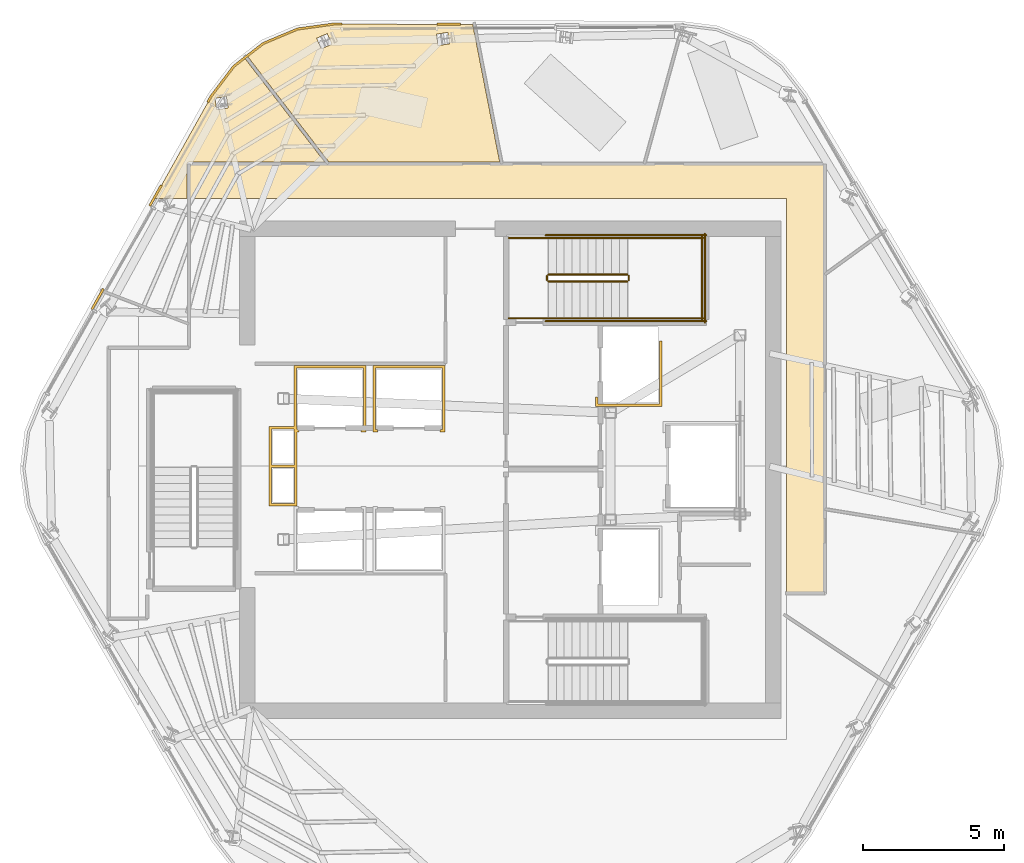
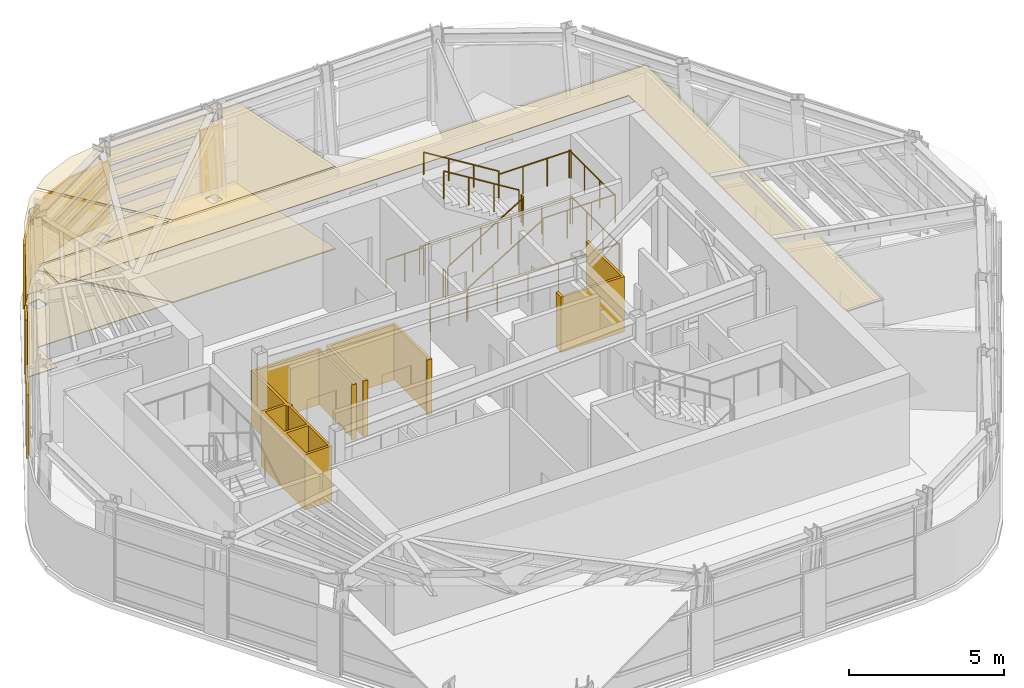
# One storey, part 11 of 13: 14 railings, 12 coverings.
"""IFC4 building model written with IfcOpenShell, lengths in metres."""

import ifcopenshell
import ifcopenshell.guid

model = None  # the IFC model being written
_history = None  # IfcOwnerHistory: only IFC2X3 demands one
_inside = {}  # id of a spatial element -> (the spatial element, [elements in it])
_under = {}  # id of a project, library or spatial element -> (it, [spatial elements below it])
_declared = {}  # id of a project -> (the project, [libraries it declares])
_typed = {}  # id of a type object -> (the type object, [elements of that type])
_made_of = {}  # id of a material, layer set ... -> (it, [elements and type objects made of it])


def new_model(schema):
    """Start an empty IFC model of exactly this schema.

    Asked for "IFC4X3", IfcOpenShell would pick the latest addendum, in which some entities
    have other attributes; the version numbers below select the first issue.
    IFC2X3 requires an IfcOwnerHistory on every rooted entity: one is made here for all.
    """
    global model, _history
    if schema == "IFC4X3":
        model = ifcopenshell.file(schema_version=(4, 3, 0, 0))
    else:
        model = ifcopenshell.file(schema=schema)
    _inside.clear()
    _under.clear()
    _declared.clear()
    _typed.clear()
    _made_of.clear()
    _history = None
    if model.schema == "IFC2X3":
        org = make("IfcOrganization", Name="unknown")
        user = make(
            "IfcPersonAndOrganization",
            ThePerson=make("IfcPerson", FamilyName="unknown"),
            TheOrganization=org,
        )
        app = make(
            "IfcApplication",
            ApplicationDeveloper=org,
            Version="unknown",
            ApplicationFullName="unknown",
            ApplicationIdentifier="unknown",
        )
        _history = make(
            "IfcOwnerHistory",
            OwningUser=user,
            OwningApplication=app,
            ChangeAction="ADDED",
            CreationDate=0,
        )
    return model


def make(cls, **values):
    """One entity of the class cls with the attributes given. An attribute that is None is left unset."""
    return model.create_entity(
        cls, **{name: value for name, value in values.items() if value is not None}
    )


def rooted(cls, **values):
    """An entity with a GlobalId (a new one), such as an element, a storey or a relation."""
    return make(cls, GlobalId=ifcopenshell.guid.new(), OwnerHistory=_history, **values)


def si_unit(unit_type, name, prefix=None):
    """IfcSIUnit, for example si_unit("LENGTHUNIT", "METRE", prefix="MILLI")."""
    return make("IfcSIUnit", UnitType=unit_type, Prefix=prefix, Name=name)


def assignment(units):
    """IfcUnitAssignment: the units of a project."""
    return None if units is None else make("IfcUnitAssignment", Units=units)


def point(xyz):
    """IfcCartesianPoint."""
    return None if xyz is None else make("IfcCartesianPoint", Coordinates=xyz)


def direction(xyz):
    """IfcDirection."""
    return None if xyz is None else make("IfcDirection", DirectionRatios=xyz)


def frame(location, z_axis=None, x_axis=None):
    """IfcAxis2Placement3D, a coordinate frame: its origin and axes. An axis left out is left unset."""
    return make(
        "IfcAxis2Placement3D",
        Location=point(location),
        Axis=direction(z_axis),
        RefDirection=direction(x_axis),
    )


def frame_2d(location, x_axis=None):
    """IfcAxis2Placement2D, a coordinate frame in the plane: its origin and x axis."""
    return make(
        "IfcAxis2Placement2D", Location=point(location), RefDirection=direction(x_axis)
    )


def origin():
    """The frame at (0, 0, 0) with its axes left unset."""
    return frame((0.0, 0.0, 0.0))


def origin_2d():
    """The frame at (0, 0) in the plane with its x axis left unset."""
    return frame_2d((0.0, 0.0))


def place(relative_to, where):
    """IfcLocalPlacement: puts the frame where relative to a parent placement (None: the world)."""
    return make(
        "IfcLocalPlacement", PlacementRelTo=relative_to, RelativePlacement=where
    )


def context(
    kind, dimensions, precision=None, world=None, true_north=None, identifier=None
):
    """IfcGeometricRepresentationContext, for example the 3D "Model" context."""
    return make(
        "IfcGeometricRepresentationContext",
        ContextIdentifier=identifier,
        ContextType=kind,
        CoordinateSpaceDimension=dimensions,
        Precision=precision,
        WorldCoordinateSystem=world,
        TrueNorth=true_north,
    )


def subcontext(parent, identifier, kind, view, scale=None):
    """IfcGeometricRepresentationSubContext, for example "Body" below "Model"."""
    return make(
        "IfcGeometricRepresentationSubContext",
        ContextIdentifier=identifier,
        ContextType=kind,
        ParentContext=parent,
        TargetScale=scale,
        TargetView=view,
    )


def project(units=None, contexts=None):
    """IfcProject with its units and contexts."""
    return rooted(
        "IfcProject",
        Name="project",
        RepresentationContexts=contexts,
        UnitsInContext=assignment(units),
    )


def spatial(cls, under=None, at=None, **own):
    """A site, building, storey or space (cls), placed at a placement, below another one or the project."""
    s = rooted(cls, ObjectPlacement=at, **own)
    if under is not None:
        _under.setdefault(under.id(), (under, []))[1].append(s)
    return s


def polyline(points):
    """IfcPolyline through the points."""
    return make("IfcPolyline", Points=[point(p) for p in points])


def profile(cls, at=None, kind="AREA", **sizes):
    """A parametric profile (cls). Its sizes go by their IFC names, for example OverallWidth=200.0."""
    return make(cls, ProfileType=kind, Position=at, **sizes)


def circle(**sizes):
    """IfcCircleProfileDef."""
    return profile("IfcCircleProfileDef", **sizes)


def outline(outer, holes=None, kind="AREA"):
    """IfcArbitraryClosedProfileDef: a profile drawn as a closed curve; with holes, ...WithVoids."""
    if holes is None:
        return make("IfcArbitraryClosedProfileDef", ProfileType=kind, OuterCurve=outer)
    return make(
        "IfcArbitraryProfileDefWithVoids",
        ProfileType=kind,
        OuterCurve=outer,
        InnerCurves=holes,
    )


def extrude(swept, where, along, depth):
    """IfcExtrudedAreaSolid: the profile swept, set in the frame where, extruded along a direction by depth."""
    return make(
        "IfcExtrudedAreaSolid",
        SweptArea=swept,
        Position=where,
        ExtrudedDirection=direction(along),
        Depth=depth,
    )


def shape(context_of_items, identifier, shape_type, items):
    """IfcShapeRepresentation: the items that make up one representation, for example the "Body"."""
    return make(
        "IfcShapeRepresentation",
        ContextOfItems=context_of_items,
        RepresentationIdentifier=identifier,
        RepresentationType=shape_type,
        Items=items,
    )


def material(Name=None, Category=None):
    """IfcMaterial."""
    return make("IfcMaterial", Name=Name, Category=Category)


def layer(
    of_material, thickness, ventilated=None, Name=None, Category=None, Priority=None
):
    """IfcMaterialLayer: one layer of a wall or slab, of a material (None: an air gap)."""
    return make(
        "IfcMaterialLayer",
        Material=of_material,
        LayerThickness=thickness,
        IsVentilated=ventilated,
        Name=Name,
        Category=Category,
        Priority=Priority,
    )


def layer_set(layers, Name=None):
    """IfcMaterialLayerSet."""
    return make("IfcMaterialLayerSet", MaterialLayers=layers, LayerSetName=Name)


def made_of(thing, what):
    """Note that an element or type object is made of a material, layer set ...; save() writes the relation."""
    if what is not None:
        _made_of.setdefault(what.id(), (what, []))[1].append(thing)
    return thing


def type_object(cls, material=None, **own):
    """A type object (cls), such as IfcWallType, which elements share."""
    return made_of(rooted(cls, **own), material)


def element(
    cls,
    number,
    at=None,
    inside=None,
    cuts=None,
    type_object=None,
    material=None,
    context=None,
    identifier="Body",
    shape_type=None,
    held_by="IfcProductDefinitionShape",
    body=None,
    shapes=None,
    **own,
):
    """One element of the class cls, such as IfcWall. Its Tag is "e" and its number.

    at: its placement. inside: the storey or other place that contains it. cuts: it is an
    opening in that element (IfcRelVoidsElement). A single representation is given by context,
    identifier, shape_type and body (its items); several are given by shapes. held_by: the class
    of the entity that holds the representations. save() writes the other relations.
    """
    e = rooted(cls, Tag="e%d" % number, ObjectPlacement=at, **own)
    if body is not None:
        shapes = [shape(context, identifier, shape_type, body)]
    if shapes is not None:
        e.Representation = make(held_by, Representations=shapes)
    if inside is not None:
        _inside.setdefault(inside.id(), (inside, []))[1].append(e)
    if cuts is not None:
        rooted(
            "IfcRelVoidsElement", RelatingBuildingElement=cuts, RelatedOpeningElement=e
        )
    if type_object is not None:
        _typed.setdefault(type_object.id(), (type_object, []))[1].append(e)
    return made_of(e, material)


def aggregate(whole, parts):
    """IfcRelAggregates: a whole, such as a stair, and the parts it consists of."""
    return rooted("IfcRelAggregates", RelatingObject=whole, RelatedObjects=parts)


def save(model, path):
    """Write the relations noted so far, then the file.

    IfcRelAggregates (storeys below a building ...), IfcRelContainedInSpatialStructure (elements
    in a storey), IfcRelDefinesByType, IfcRelAssociatesMaterial and IfcRelDeclares: one each for
    every whole, place, type object, material and project.
    """
    for whole, parts in _under.values():
        aggregate(whole, parts)
    for where, things in _inside.values():
        rooted(
            "IfcRelContainedInSpatialStructure",
            RelatedElements=things,
            RelatingStructure=where,
        )
    for kind, things in _typed.values():
        rooted("IfcRelDefinesByType", RelatedObjects=things, RelatingType=kind)
    for what, things in _made_of.values():
        rooted("IfcRelAssociatesMaterial", RelatedObjects=things, RelatingMaterial=what)
    for by, libraries in _declared.values():
        rooted("IfcRelDeclares", RelatingContext=by, RelatedDefinitions=libraries)
    model.write(path)


model = new_model("IFC4")

# Units and contexts
model_context = context("Model", 3, precision=1e-05, world=origin(), true_north=direction((0.0, 1.0)))
body_context = subcontext(model_context, "Body", "Model", "MODEL_VIEW")
ifc_project = project(units=[si_unit("LENGTHUNIT", "METRE"), si_unit("AREAUNIT", "SQUARE_METRE"), si_unit("VOLUMEUNIT", "CUBIC_METRE"), si_unit("PLANEANGLEUNIT", "RADIAN"), si_unit("MASSUNIT", "GRAM", prefix="KILO")], contexts=[model_context])

# Site, building, storey
site_placement = place(None, origin())
site = spatial("IfcSite", under=ifc_project, at=site_placement, CompositionType="ELEMENT")
building_placement = place(site_placement, origin())
building = spatial("IfcBuilding", under=site, at=building_placement, Name="Valkerne Bourse Tower", CompositionType="ELEMENT")
storey_placement = place(building_placement, frame((0.0, 0.0, 285.0)))
storey = spatial("IfcBuildingStorey", under=building, at=storey_placement, Name="L72", CompositionType="ELEMENT", Elevation=285.0)

# Coverings
ifc_material_1 = material(Name="Mineral Fiber Acoustic Ceiling Tile", Category="acoustic")
ifc_layer_1 = layer(ifc_material_1, 0.02490234375)
ifc_layer_set_1 = layer_set([ifc_layer_1], Name="Mineral Fiber Acoustic Ceiling Tile")
covering_type_1 = type_object("IfcCoveringType", Name="COV-CEIL-ACT", PredefinedType="CEILING", material=ifc_layer_set_1)
covering_1_placement = place(storey_placement, frame((0.0, 0.0, 3.25)))
element("IfcCovering", 1, at=covering_1_placement, inside=storey, type_object=covering_type_1, Name="L72 Suspended Ceiling 03", PredefinedType="CEILING", context=body_context, shape_type="SweptSolid", body=[
    extrude(outline(polyline([(37.37451171875, 41.47998046875), (40.216796875, 37.7890625), (35.399658203125, 37.7890625), (35.37109375, 37.78271484375), (35.34814453125, 37.765869140625), (35.3310546875, 37.720703125), (35.3310546875, 36.5), (34.162353515625, 36.5), (36.19189453125, 40.127685546875), (36.9951171875, 41.185791015625), (37.37451171875, 41.47998046875)]), holes=[polyline([(36.78466796875, 39.708984375), (36.78662109375, 39.710693359375), (36.726318359375, 40.112548828125), (36.322021484375, 40.052734375), (36.3203125, 40.05126953125), (36.380615234375, 39.649169921875), (36.78466796875, 39.708984375)])]), origin(), (0.0, 0.0, 1.0), 0.02490234375),
])
covering_2_placement = place(storey_placement, frame((0.0, 0.0, 3.25)))
element("IfcCovering", 2, at=covering_2_placement, inside=storey, type_object=covering_type_1, Name="L72 Suspended Ceiling 07", PredefinedType="CEILING", context=body_context, shape_type="SweptSolid", body=[
    extrude(outline(polyline([(40.570556640625, 42.686279296875), (45.465087890625, 42.67138671875), (46.423095703125, 37.7890625), (40.36572265625, 37.7890625), (37.4677734375, 41.55224609375), (38.037841796875, 41.99462890625), (39.25439453125, 42.505859375), (40.570556640625, 42.686279296875)]), holes=[polyline([(40.095458984375, 41.80908203125), (40.46728515625, 41.9716796875), (40.30322265625, 42.3466796875), (40.301025390625, 42.345703125), (39.92919921875, 42.18310546875), (40.09326171875, 41.80810546875), (40.095458984375, 41.80908203125)]), polyline([(44.642822265625, 41.98583984375), (44.579345703125, 42.39013671875), (44.5771484375, 42.389892578125), (44.176025390625, 42.326904296875), (44.23974609375, 41.922607421875), (44.241943359375, 41.9228515625), (44.642822265625, 41.98583984375)])]), origin(), (0.0, 0.0, 1.0), 0.02490234375),
])
ifc_material_2 = material(Name="Bronze Anodised Aluminium AA 6063-T6", Category="aluminium")
ifc_layer_2 = layer(ifc_material_2, 0.030029296875)
ifc_layer_set_2 = layer_set([ifc_layer_2], Name="Bronze Anodised Aluminium AA 6063-T6")
covering_type_2 = type_object("IfcCoveringType", Name="COV-CEIL-METAL", PredefinedType="CEILING", material=ifc_layer_set_2)
covering_3_placement = place(storey_placement, frame((0.0, 0.0, 3.25)))
element("IfcCovering", 3, at=covering_3_placement, inside=storey, type_object=covering_type_2, Name="L72 Suspended Ceiling 01", PredefinedType="CEILING", context=body_context, shape_type="SweptSolid", body=[
    extrude(outline(polyline([(35.404052734375, 37.716064453125), (57.946044921875, 37.716064453125), (57.946044921875, 22.50390625), (56.60009765625, 22.50390625), (56.60009765625, 36.5), (35.404052734375, 36.5), (35.404052734375, 37.716064453125)])), origin(), (0.0, 0.0, 1.0), 0.02490234375),
])
ifc_layer_3 = layer(ifc_material_2, 0.06005859375)
ifc_layer_set_3 = layer_set([ifc_layer_3], Name="Bronze Anodised Aluminium AA 6063-T6")
covering_type_3 = type_object("IfcCoveringType", Name="COV-CRN-ALUM", PredefinedType="CLADDING", material=ifc_layer_set_3)
covering_4_placement = place(storey_placement, origin())
element("IfcCovering", 4, at=covering_4_placement, inside=storey, type_object=covering_type_3, Name="L72 Wind-Shaped Corner Aluminium Cladding 11", PredefinedType="CLADDING", context=body_context, shape_type="SweptSolid", body=[
    extrude(outline(polyline([(32.328857421875, 33.313232421875), (32.398193359375, 33.273681640625), (31.98828125, 32.54052734375), (31.918701171875, 32.580078125), (32.328857421875, 33.313232421875)])), origin(), (0.0, 0.0, 1.0), 2.5),
])
covering_5_placement = place(storey_placement, origin())
element("IfcCovering", 5, at=covering_5_placement, inside=storey, type_object=covering_type_3, Name="L72 Wind-Shaped Corner Aluminium Cladding 12", PredefinedType="CLADDING", context=body_context, shape_type="SweptSolid", body=[
    extrude(outline(polyline([(34.385498046875, 36.989013671875), (34.455078125, 36.949462890625), (34.044921875, 36.21630859375), (33.975341796875, 36.256103515625), (34.385498046875, 36.989013671875)])), origin(), (0.0, 0.0, 1.0), 2.5),
])
covering_6_placement = place(storey_placement, origin())
element("IfcCovering", 6, at=covering_6_placement, inside=storey, type_object=covering_type_3, Name="L72 Wind-Shaped Corner Aluminium Cladding 13", PredefinedType="CLADDING", context=body_context, shape_type="SweptSolid", body=[
    extrude(outline(polyline([(36.155029296875, 40.15185546875), (36.963623046875, 41.217041015625), (38.015380859375, 42.032958984375), (39.24267578125, 42.548583984375), (40.567626953125, 42.730224609375), (40.819580078125, 42.7294921875), (40.820068359375, 42.6494140625), (40.572998046875, 42.650390625), (39.263916015625, 42.470947265625), (38.05615234375, 41.963134765625), (37.02099609375, 41.160400390625), (36.22216796875, 40.10791015625), (36.1015625, 39.892333984375), (36.031982421875, 39.931884765625), (36.155029296875, 40.15185546875)])), origin(), (0.0, 0.0, 1.0), 2.5),
])
covering_7_placement = place(storey_placement, origin())
element("IfcCovering", 7, at=covering_7_placement, inside=storey, type_object=covering_type_3, Name="L72 Wind-Shaped Corner Aluminium Cladding 14", PredefinedType="CLADDING", context=body_context, shape_type="SweptSolid", body=[
    extrude(outline(polyline([(45.031494140625, 42.716796875), (45.031982421875, 42.63671875), (44.19189453125, 42.639404296875), (44.191650390625, 42.719482421875), (45.031494140625, 42.716796875)])), origin(), (0.0, 0.0, 1.0), 2.5),
])
ifc_material_3 = material(Name="Galvanised Painted Steel", Category="steel")
ifc_layer_4 = layer(ifc_material_3, 0.044921875)
ifc_layer_set_4 = layer_set([ifc_layer_4], Name="Galvanised Painted Steel")
covering_type_4 = type_object("IfcCoveringType", Name="COV-FLR-RAF", PredefinedType="FLOORING", material=ifc_layer_set_4)
covering_8_placement = place(storey_placement, origin())
element("IfcCovering", 8, at=covering_8_placement, inside=storey, type_object=covering_type_4, Name="L72 Floor Finish 07", PredefinedType="FLOORING", context=body_context, shape_type="SweptSolid", body=[
    extrude(outline(polyline([(40.570556640625, 42.686279296875), (45.465087890625, 42.67138671875), (46.423095703125, 37.7890625), (40.36572265625, 37.7890625), (37.4677734375, 41.55224609375), (38.037841796875, 41.99462890625), (39.25439453125, 42.505859375), (40.570556640625, 42.686279296875)]), holes=[polyline([(40.095458984375, 41.80908203125), (40.46728515625, 41.9716796875), (40.30322265625, 42.3466796875), (40.301025390625, 42.345703125), (39.92919921875, 42.18310546875), (40.09326171875, 41.80810546875), (40.095458984375, 41.80908203125)]), polyline([(44.642822265625, 41.98583984375), (44.579345703125, 42.39013671875), (44.5771484375, 42.389892578125), (44.176025390625, 42.326904296875), (44.23974609375, 41.922607421875), (44.241943359375, 41.9228515625), (44.642822265625, 41.98583984375)])]), origin(), (0.0, 0.0, 1.0), 0.044921875),
])
ifc_material_4 = material(Name="Polished Granite Stone", Category="masonry")
ifc_layer_5 = layer(ifc_material_4, 0.030029296875)
ifc_layer_set_5 = layer_set([ifc_layer_5], Name="Polished Granite Stone")
covering_type_5 = type_object("IfcCoveringType", Name="COV-FLR-TERRAZZO", PredefinedType="FLOORING", material=ifc_layer_set_5)
covering_9_placement = place(storey_placement, origin())
element("IfcCovering", 9, at=covering_9_placement, inside=storey, type_object=covering_type_5, Name="L72 Floor Finish 03", PredefinedType="FLOORING", context=body_context, shape_type="SweptSolid", body=[
    extrude(outline(polyline([(37.37451171875, 41.47998046875), (40.216796875, 37.7890625), (35.399658203125, 37.7890625), (35.37109375, 37.78271484375), (35.34814453125, 37.765869140625), (35.3310546875, 37.720703125), (35.3310546875, 36.5), (34.162353515625, 36.5), (36.19189453125, 40.127685546875), (36.9951171875, 41.185791015625), (37.37451171875, 41.47998046875)]), holes=[polyline([(36.78466796875, 39.708984375), (36.78662109375, 39.710693359375), (36.726318359375, 40.112548828125), (36.322021484375, 40.052734375), (36.3203125, 40.05126953125), (36.380615234375, 39.649169921875), (36.78466796875, 39.708984375)])]), origin(), (0.0, 0.0, 1.0), 0.030029296875),
])
ifc_material_5 = material(Name="Gypsum Shaftwall Liner Board", Category="gypsum")
ifc_layer_6 = layer(ifc_material_5, 0.080078125)
ifc_layer_set_6 = layer_set([ifc_layer_6], Name="Gypsum Shaftwall Liner Board")
covering_type_6 = type_object("IfcCoveringType", Name="COV-SHF-CLAD", PredefinedType="CLADDING", material=ifc_layer_set_6)
covering_10_placement = place(storey_placement, origin())
element("IfcCovering", 10, at=covering_10_placement, inside=storey, type_object=covering_type_6, Name="L72 Hoistway & Riser Shaftwall Liner 04", PredefinedType="CLADDING", context=body_context, shape_type="SweptSolid", body=[
    extrude(outline(polyline([(38.239990234375, 27.0400390625), (38.239990234375, 28.409912109375), (39.1201171875, 28.409912109375), (39.1201171875, 30.580078125), (41.679931640625, 30.580078125), (41.679931640625, 28.219970703125), (41.500732421875, 28.219970703125), (41.511474609375, 28.26220703125), (41.517822265625, 28.305908203125), (41.51806640625, 28.31005859375), (41.590087890625, 28.31005859375), (41.590087890625, 30.489990234375), (39.2099609375, 30.489990234375), (39.2099609375, 28.409912109375), (39.239990234375, 28.409912109375), (39.239990234375, 28.31005859375), (39.281982421875, 28.31005859375), (39.2822265625, 28.305908203125), (39.28857421875, 28.26220703125), (39.29931640625, 28.219970703125), (39.239990234375, 28.219970703125), (39.239990234375, 27.0400390625), (39.239990234375, 26.9599609375), (39.239990234375, 25.590087890625), (38.239990234375, 25.590087890625), (38.239990234375, 26.9599609375), (38.239990234375, 27.0400390625)]), holes=[polyline([(39.14990234375, 26.949951171875), (38.330078125, 26.949951171875), (38.330078125, 25.679931640625), (39.14990234375, 25.679931640625), (39.14990234375, 26.949951171875)]), polyline([(39.14990234375, 28.219970703125), (39.1201171875, 28.219970703125), (39.1201171875, 28.320068359375), (38.330078125, 28.320068359375), (38.330078125, 27.050048828125), (39.14990234375, 27.050048828125), (39.14990234375, 28.219970703125)])]), origin(), (0.0, 0.0, 1.0), 2.179931640625),
])
covering_11_placement = place(storey_placement, origin())
element("IfcCovering", 11, at=covering_11_placement, inside=storey, type_object=covering_type_6, Name="L72 Hoistway & Riser Shaftwall Liner 06", PredefinedType="CLADDING", context=body_context, shape_type="SweptSolid", body=[
    extrude(outline(polyline([(44.47998046875, 28.219970703125), (44.30078125, 28.219970703125), (44.311279296875, 28.26220703125), (44.31787109375, 28.305908203125), (44.318115234375, 28.31005859375), (44.389892578125, 28.31005859375), (44.389892578125, 30.489990234375), (42.010009765625, 30.489990234375), (42.010009765625, 28.31005859375), (42.08203125, 28.31005859375), (42.082275390625, 28.305908203125), (42.088623046875, 28.26220703125), (42.09912109375, 28.219970703125), (41.919921875, 28.219970703125), (41.919921875, 30.580078125), (44.47998046875, 30.580078125), (44.47998046875, 28.219970703125)])), origin(), (0.0, 0.0, 1.0), 2.179931640625),
])
covering_12_placement = place(storey_placement, origin())
element("IfcCovering", 12, at=covering_12_placement, inside=storey, type_object=covering_type_6, Name="L72 Hoistway & Riser Shaftwall Liner 07", PredefinedType="CLADDING", context=body_context, shape_type="SweptSolid", body=[
    extrude(outline(polyline([(49.820068359375, 29.1201171875), (49.820068359375, 29.468017578125), (49.827880859375, 29.46435546875), (49.869384765625, 29.449462890625), (49.909912109375, 29.439208984375), (49.909912109375, 29.2099609375), (52.090087890625, 29.2099609375), (52.090087890625, 31.449951171875), (52.179931640625, 31.449951171875), (52.179931640625, 29.1201171875), (49.820068359375, 29.1201171875)])), origin(), (0.0, 0.0, 1.0), 2.179931640625),
])

# Railings
railing_type_1 = type_object("IfcRailingType", Name="RLG-ST-GUARD-1120", PredefinedType="GUARDRAIL", material=ifc_material_3)
railing_1_placement = place(storey_placement, frame((48.14990234375, 33.550048828125, 0.172607421875)))
element("IfcRailing", 13, at=railing_1_placement, inside=storey, type_object=railing_type_1, Name="L72 ST-2 stair guard 1", PredefinedType="GUARDRAIL", context=body_context, shape_type="SweptSolid", body=[
    extrude(circle(Radius=0.02392578125, at=origin_2d()), frame((0.0, 0.0, 1.09619140625), z_axis=(0.851089632645, 0.0, 0.525020415988), x_axis=(0.0, 1.0, 0.0)), (0.0, 0.0, 1.0), 3.2900390625),
    extrude(circle(Radius=0.02099609375, at=origin_2d()), origin(), (0.0, 0.0, 1.0), 1.072021484375),
    extrude(circle(Radius=0.02099609375, at=origin_2d()), frame((0.933349609375, 0.0, 0.57568359375)), (0.0, 0.0, 1.0), 1.072021484375),
    extrude(circle(Radius=0.02099609375, at=origin_2d()), frame((1.86669921875, 0.0, 1.151611328125)), (0.0, 0.0, 1.0), 1.072021484375),
    extrude(circle(Radius=0.02099609375, at=origin_2d()), frame((2.800048828125, 0.0, 1.727294921875)), (0.0, 0.0, 1.0), 1.072021484375),
])
railing_2_placement = place(storey_placement, frame((51.0, 33.60009765625, 1.89990234375)))
element("IfcRailing", 14, at=railing_2_placement, inside=storey, type_object=railing_type_1, Name="L72 ST-2 stair guard 2", PredefinedType="GUARDRAIL", context=body_context, shape_type="SweptSolid", body=[
    extrude(circle(Radius=0.02392578125, at=origin_2d()), frame((0.0, 0.0, 1.09619140625), z_axis=(0.0, 1.0, 0.0), x_axis=(-1.0, 0.0, 0.0)), (0.0, 0.0, 1.0), 0.14990234375),
    extrude(circle(Radius=0.02099609375, at=origin_2d()), origin(), (0.0, 0.0, 1.0), 1.072021484375),
    extrude(circle(Radius=0.02099609375, at=origin_2d()), frame((0.0, 0.14990234375, 0.0)), (0.0, 0.0, 1.0), 1.072021484375),
])
for number, where, name in (
    (15, (50.949951171875, 32.25, 1.89990234375), "L72 ST-2 stair guard 3"),
    (16, (50.949951171875, 35.10009765625, 1.89990234375), "L72 ST-2 stair guard 4"),
):
    element("IfcRailing", number, at=place(storey_placement, frame(where)), inside=storey, type_object=railing_type_1, Name=name, PredefinedType="GUARDRAIL", context=body_context, shape_type="SweptSolid", body=[
        extrude(circle(Radius=0.02392578125, at=origin_2d()), frame((0.0, 0.0, 1.09619140625), z_axis=(1.0, 0.0, 0.0), x_axis=(0.0, 1.0, 0.0)), (0.0, 0.0, 1.0), 2.699951171875),
        extrude(circle(Radius=0.02099609375, at=origin_2d()), origin(), (0.0, 0.0, 1.0), 1.072021484375),
        extrude(circle(Radius=0.02099609375, at=origin_2d()), frame((0.89990234375, 0.0, 0.0)), (0.0, 0.0, 1.0), 1.072021484375),
        extrude(circle(Radius=0.02099609375, at=origin_2d()), frame((1.800048828125, 0.0, 0.0)), (0.0, 0.0, 1.0), 1.072021484375),
        extrude(circle(Radius=0.02099609375, at=origin_2d()), frame((2.699951171875, 0.0, 0.0)), (0.0, 0.0, 1.0), 1.072021484375),
    ])
railing_3_placement = place(storey_placement, frame((53.60009765625, 32.199951171875, 1.89990234375)))
element("IfcRailing", 17, at=railing_3_placement, inside=storey, type_object=railing_type_1, Name="L72 ST-2 stair guard 5", PredefinedType="GUARDRAIL", context=body_context, shape_type="SweptSolid", body=[
    extrude(circle(Radius=0.02392578125, at=origin_2d()), frame((0.0, 0.0, 1.09619140625), z_axis=(0.0, 1.0, 0.0), x_axis=(-1.0, 0.0, 0.0)), (0.0, 0.0, 1.0), 2.949951171875),
    extrude(circle(Radius=0.02099609375, at=origin_2d()), origin(), (0.0, 0.0, 1.0), 1.072021484375),
    extrude(circle(Radius=0.02099609375, at=origin_2d()), frame((0.0, 0.9833984375, 0.0)), (0.0, 0.0, 1.0), 1.072021484375),
    extrude(circle(Radius=0.02099609375, at=origin_2d()), frame((0.0, 1.966552734375, 0.0)), (0.0, 0.0, 1.0), 1.072021484375),
    extrude(circle(Radius=0.02099609375, at=origin_2d()), frame((0.0, 2.949951171875, 0.0)), (0.0, 0.0, 1.0), 1.072021484375),
])
railing_4_placement = place(storey_placement, frame((50.949951171875, 33.800048828125, 2.07275390625)))
element("IfcRailing", 18, at=railing_4_placement, inside=storey, type_object=railing_type_1, Name="L72 ST-2 stair guard 6", PredefinedType="GUARDRAIL", context=body_context, shape_type="SweptSolid", body=[
    extrude(circle(Radius=0.02392578125, at=origin_2d()), frame((0.0, 0.0, 1.09619140625), z_axis=(-0.851089632645, 0.0, 0.525020415988), x_axis=(0.0, -1.0, 0.0)), (0.0, 0.0, 1.0), 3.2900390625),
    extrude(circle(Radius=0.02099609375, at=origin_2d()), origin(), (0.0, 0.0, 1.0), 1.072021484375),
    extrude(circle(Radius=0.02099609375, at=origin_2d()), frame((-0.933349609375, 0.0, 0.57568359375)), (0.0, 0.0, 1.0), 1.072021484375),
    extrude(circle(Radius=0.02099609375, at=origin_2d()), frame((-1.86669921875, 0.0, 1.151611328125)), (0.0, 0.0, 1.0), 1.072021484375),
    extrude(circle(Radius=0.02099609375, at=origin_2d()), frame((-2.800048828125, 0.0, 1.727294921875)), (0.0, 0.0, 1.0), 1.072021484375),
])
railing_5_placement = place(storey_placement, frame((48.10009765625, 33.60009765625, 0.0)))
element("IfcRailing", 19, at=railing_5_placement, inside=storey, type_object=railing_type_1, Name="L72 ST-2 stair guard 7", PredefinedType="GUARDRAIL", context=body_context, shape_type="SweptSolid", body=[
    extrude(circle(Radius=0.02392578125, at=origin_2d()), frame((0.0, 0.0, 1.09619140625), z_axis=(0.0, 1.0, 0.0), x_axis=(-1.0, 0.0, 0.0)), (0.0, 0.0, 1.0), 0.14990234375),
    extrude(circle(Radius=0.02099609375, at=origin_2d()), origin(), (0.0, 0.0, 1.0), 1.072021484375),
    extrude(circle(Radius=0.02099609375, at=origin_2d()), frame((0.0, 0.14990234375, 0.0)), (0.0, 0.0, 1.0), 1.072021484375),
])
for number, where, name in (
    (20, (46.75, 32.25, 0.0), "L72 ST-2 stair guard 8"),
    (21, (46.75, 35.10009765625, 0.0), "L72 ST-2 stair guard 9"),
):
    element("IfcRailing", number, at=place(storey_placement, frame(where)), inside=storey, type_object=railing_type_1, Name=name, PredefinedType="GUARDRAIL", context=body_context, shape_type="SweptSolid", body=[
        extrude(circle(Radius=0.02392578125, at=origin_2d()), frame((0.0, 0.0, 1.09619140625), z_axis=(1.0, 0.0, 0.0), x_axis=(0.0, 1.0, 0.0)), (0.0, 0.0, 1.0), 1.39990234375),
        extrude(circle(Radius=0.02099609375, at=origin_2d()), origin(), (0.0, 0.0, 1.0), 1.072021484375),
        extrude(circle(Radius=0.02099609375, at=origin_2d()), frame((0.699951171875, 0.0, 0.0)), (0.0, 0.0, 1.0), 1.072021484375),
        extrude(circle(Radius=0.02099609375, at=origin_2d()), frame((1.39990234375, 0.0, 0.0)), (0.0, 0.0, 1.0), 1.072021484375),
    ])
for number, where, name in (
    (22, (48.050048828125, 32.14990234375, 0.0), "L72 ST-2 stair guard 10"),
    (23, (48.050048828125, 35.199951171875, 0.0), "L72 ST-2 stair guard 11"),
):
    element("IfcRailing", number, at=place(storey_placement, frame(where)), inside=storey, type_object=railing_type_1, Name=name, PredefinedType="GUARDRAIL", context=body_context, shape_type="SweptSolid", body=[
        extrude(circle(Radius=0.02392578125, at=origin_2d()), frame((0.0, 0.0, 1.09619140625), z_axis=(1.0, 0.0, 0.0), x_axis=(0.0, 1.0, 0.0)), (0.0, 0.0, 1.0), 5.699951171875),
        extrude(circle(Radius=0.02099609375, at=origin_2d()), origin(), (0.0, 0.0, 1.0), 1.072021484375),
        extrude(circle(Radius=0.02099609375, at=origin_2d()), frame((1.139892578125, 0.0, 0.0)), (0.0, 0.0, 1.0), 1.072021484375),
        extrude(circle(Radius=0.02099609375, at=origin_2d()), frame((2.280029296875, 0.0, 0.0)), (0.0, 0.0, 1.0), 1.072021484375),
        extrude(circle(Radius=0.02099609375, at=origin_2d()), frame((3.419921875, 0.0, 0.0)), (0.0, 0.0, 1.0), 1.072021484375),
        extrude(circle(Radius=0.02099609375, at=origin_2d()), frame((4.56005859375, 0.0, 0.0)), (0.0, 0.0, 1.0), 1.072021484375),
        extrude(circle(Radius=0.02099609375, at=origin_2d()), frame((5.699951171875, 0.0, 0.0)), (0.0, 0.0, 1.0), 1.072021484375),
    ])
railing_6_placement = place(storey_placement, frame((53.699951171875, 32.10009765625, 0.0)))
element("IfcRailing", 24, at=railing_6_placement, inside=storey, type_object=railing_type_1, Name="L72 ST-2 stair guard 12", PredefinedType="GUARDRAIL", context=body_context, shape_type="SweptSolid", body=[
    extrude(circle(Radius=0.02392578125, at=origin_2d()), frame((0.0, 0.0, 1.09619140625), z_axis=(0.0, 1.0, 0.0), x_axis=(-1.0, 0.0, 0.0)), (0.0, 0.0, 1.0), 3.14990234375),
    extrude(circle(Radius=0.02099609375, at=origin_2d()), origin(), (0.0, 0.0, 1.0), 1.072021484375),
    extrude(circle(Radius=0.02099609375, at=origin_2d()), frame((0.0, 1.050048828125, 0.0)), (0.0, 0.0, 1.0), 1.072021484375),
    extrude(circle(Radius=0.02099609375, at=origin_2d()), frame((0.0, 2.099853515625, 0.0)), (0.0, 0.0, 1.0), 1.072021484375),
    extrude(circle(Radius=0.02099609375, at=origin_2d()), frame((0.0, 3.14990234375, 0.0)), (0.0, 0.0, 1.0), 1.072021484375),
])
ifc_material_6 = material(Name="Stainless Steel AISI 316", Category="steel")
railing_type_2 = type_object("IfcRailingType", Name="RLG-ST-HANDRAIL-900", PredefinedType="HANDRAIL", material=ifc_material_6)
railing_7_placement = place(storey_placement, frame((48.14990234375, 32.25, 0.345458984375)))
element("IfcRailing", 25, at=railing_7_placement, inside=storey, type_object=railing_type_2, Name="L72 ST-2 stair handrail 1", PredefinedType="HANDRAIL", context=body_context, shape_type="SweptSolid", body=[
    extrude(circle(Radius=0.02392578125, at=origin_2d()), frame((0.0, 0.0, 0.8759765625), z_axis=(0.851089632645, 0.0, 0.525020415988), x_axis=(0.0, 1.0, 0.0)), (0.0, 0.0, 1.0), 3.2900390625),
    extrude(circle(Radius=0.02099609375, at=origin_2d()), origin(), (0.0, 0.0, 1.0), 0.851806640625),
    extrude(circle(Radius=0.02099609375, at=origin_2d()), frame((0.933349609375, 0.0, 0.57568359375)), (0.0, 0.0, 1.0), 0.851806640625),
    extrude(circle(Radius=0.02099609375, at=origin_2d()), frame((1.86669921875, 0.0, 1.151611328125)), (0.0, 0.0, 1.0), 0.851806640625),
    extrude(circle(Radius=0.02099609375, at=origin_2d()), frame((2.800048828125, 0.0, 1.727294921875)), (0.0, 0.0, 1.0), 0.851806640625),
])
railing_8_placement = place(storey_placement, frame((50.949951171875, 35.10009765625, 2.245361328125)))
element("IfcRailing", 26, at=railing_8_placement, inside=storey, type_object=railing_type_2, Name="L72 ST-2 stair handrail 2", PredefinedType="HANDRAIL", context=body_context, shape_type="SweptSolid", body=[
    extrude(circle(Radius=0.02392578125, at=origin_2d()), frame((0.0, 0.0, 0.8759765625), z_axis=(-0.851089632645, 0.0, 0.525020415988), x_axis=(0.0, -1.0, 0.0)), (0.0, 0.0, 1.0), 3.2900390625),
    extrude(circle(Radius=0.02099609375, at=origin_2d()), origin(), (0.0, 0.0, 1.0), 0.851806640625),
    extrude(circle(Radius=0.02099609375, at=origin_2d()), frame((-0.933349609375, 0.0, 0.57568359375)), (0.0, 0.0, 1.0), 0.851806640625),
    extrude(circle(Radius=0.02099609375, at=origin_2d()), frame((-1.86669921875, 0.0, 1.151611328125)), (0.0, 0.0, 1.0), 0.851806640625),
    extrude(circle(Radius=0.02099609375, at=origin_2d()), frame((-2.800048828125, 0.0, 1.727294921875)), (0.0, 0.0, 1.0), 0.851806640625),
])

save(model, "model.ifc")
